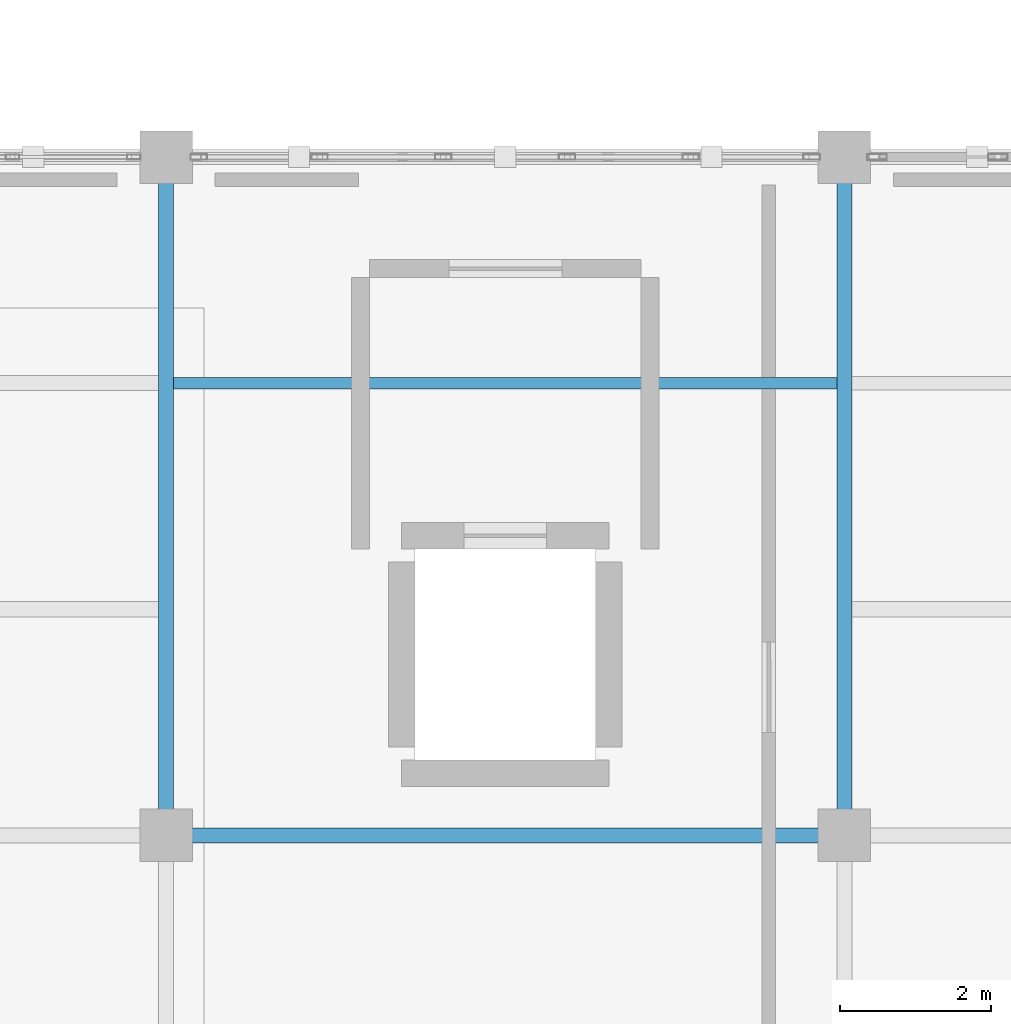
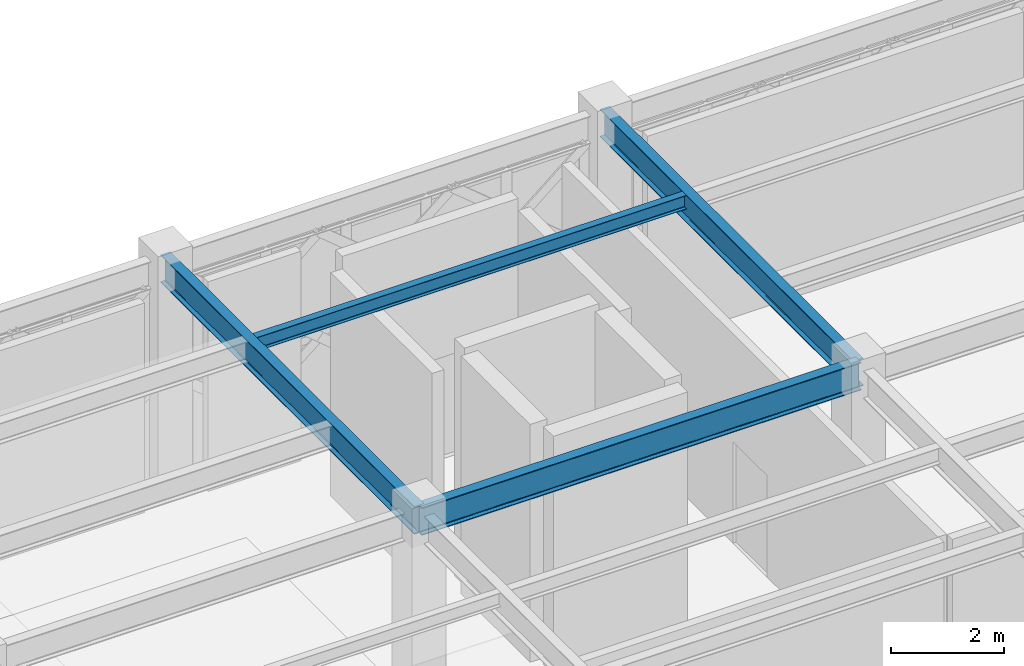
# One storey, part 9 of 72: 4 beams.
"""IFC4 building model written with IfcOpenShell, lengths in metres."""

from ifc_helpers import new_model, si_unit, direction, frame, origin, origin_2d, place, context, subcontext, project, spatial, i_section, extrude, material, material_profile, profile_set, type_object, element, save


model = new_model("IFC4")

# Units and contexts
model_context = context("Model", 3, precision=1e-05, world=origin(), true_north=direction((0.0, 1.0)))
body_context = subcontext(model_context, "Body", "Model", "MODEL_VIEW")
ifc_project = project(units=[si_unit("LENGTHUNIT", "METRE"), si_unit("AREAUNIT", "SQUARE_METRE"), si_unit("VOLUMEUNIT", "CUBIC_METRE"), si_unit("PLANEANGLEUNIT", "RADIAN"), si_unit("MASSUNIT", "GRAM", prefix="KILO")], contexts=[model_context])

# Site, building, storey
site_placement = place(None, origin())
site = spatial("IfcSite", under=ifc_project, at=site_placement, CompositionType="ELEMENT")
building_placement = place(site_placement, origin())
building = spatial("IfcBuilding", under=site, at=building_placement, Name="Haizhuo Lancet Aquarium", CompositionType="ELEMENT")
storey_placement = place(building_placement, frame((0.0, 0.0, 21.60009765625)))
storey = spatial("IfcBuildingStorey", under=building, at=storey_placement, Name="L04", CompositionType="ELEMENT", Elevation=21.60009765625)

# Beams
ifc_material = material(Name="Steel S355", Category="steel")
ifc_material_profile_1 = material_profile(ifc_material, i_section(OverallWidth=0.199951171875, OverallDepth=0.60009765625, WebThickness=0.010986328125, FlangeThickness=0.01708984375, FilletRadius=0.02197265625, at=origin_2d()), Name="HN 600x200x11x17")
ifc_profile_set_1 = profile_set([ifc_material_profile_1], Name="Steel S355")
beam_type_1 = type_object("IfcBeamType", Name="BM-ST-HN600", PredefinedType="BEAM", material=ifc_profile_set_1)
for number, where, z_axis, x_axis, name in (
    (1, (-63.0, -18.0, 4.849853515625), (0.0, 1.0, 0.0), (-1.0, 0.0, 0.0), "L04 V6 primary girder BM-L04-V6-011"),
    (2, (-63.0, -18.0, 4.849853515625), (1.0, 0.0, 0.0), (0.0, 1.0, 0.0), "L04 V6 primary girder BM-L04-V6-012"),
    (3, (-54.0, -18.0, 4.849853515625), (0.0, 1.0, 0.0), (-1.0, 0.0, 0.0), "L04 V6 primary girder BM-L04-V6-016"),
):
    element("IfcBeam", number, at=place(storey_placement, frame(where, z_axis=z_axis, x_axis=x_axis)), inside=storey, type_object=beam_type_1, Name=name, PredefinedType="BEAM", context=body_context, shape_type="SweptSolid", body=[
        extrude(i_section(OverallWidth=0.199951171875, OverallDepth=0.60009765625, WebThickness=0.010986328125, FlangeThickness=0.01708984375, FilletRadius=0.02197265625, at=origin_2d()), origin(), (0.0, 0.0, 1.0), 9.0),
    ])
ifc_material_profile_2 = material_profile(ifc_material, i_section(OverallWidth=0.14990234375, OverallDepth=0.300048828125, WebThickness=0.006591796875, FlangeThickness=0.009033203125, FilletRadius=0.012939453125, at=origin_2d()), Name="HN 300x150x6.5x9")
ifc_profile_set_2 = profile_set([ifc_material_profile_2], Name="Steel S355")
beam_type_2 = type_object("IfcBeamType", Name="JST-ST-HN300", PredefinedType="JOIST", material=ifc_profile_set_2)
beam_placement = place(storey_placement, frame((-62.89990234375, -12.0, 5.0), z_axis=(1.0, 0.0, 0.0), x_axis=(0.0, 1.0, 0.0)))
element("IfcBeam", 4, at=beam_placement, inside=storey, type_object=beam_type_2, Name="L04 V6 secondary floor joist 9", PredefinedType="JOIST", context=body_context, shape_type="SweptSolid", body=[
    extrude(i_section(OverallWidth=0.14990234375, OverallDepth=0.300048828125, WebThickness=0.006591796875, FlangeThickness=0.009033203125, FilletRadius=0.012939453125, at=origin_2d()), origin(), (0.0, 0.0, 1.0), 8.7998046875),
])

save(model, "model.ifc")
